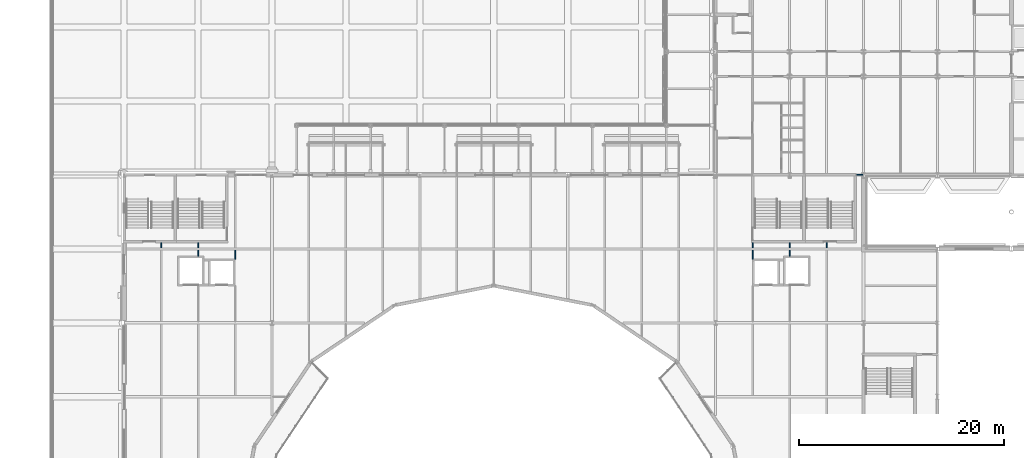
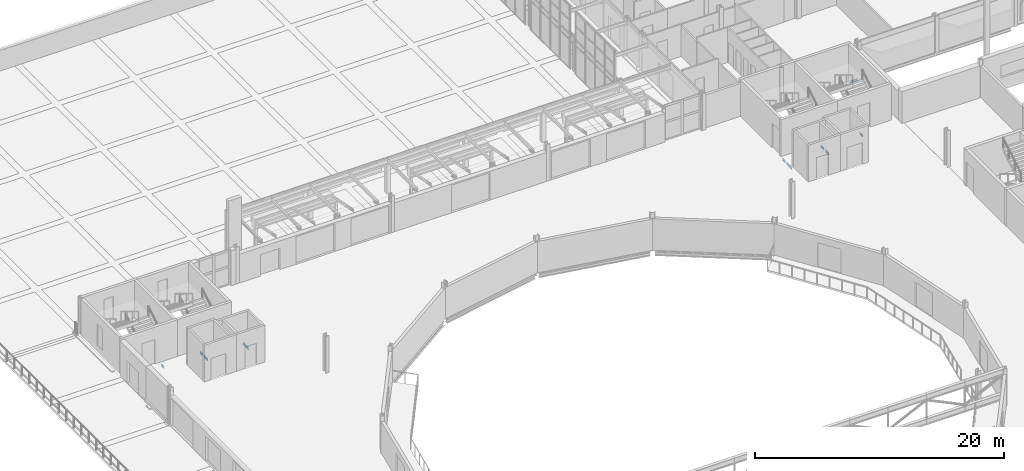
# One storey, part 61 of 143: 10 beams.
"""IFC4 building model written with IfcOpenShell, lengths in metres."""

from ifc_helpers import new_model, si_unit, direction, frame, origin, origin_2d, place, context, subcontext, project, spatial, i_section, extrude, material, material_profile, profile_set, type_object, element, save


model = new_model("IFC4")

# Units and contexts
model_context = context("Model", 3, precision=1e-05, world=origin(), true_north=direction((0.0, 1.0)))
body_context = subcontext(model_context, "Body", "Model", "MODEL_VIEW")
ifc_project = project(units=[si_unit("LENGTHUNIT", "METRE"), si_unit("AREAUNIT", "SQUARE_METRE"), si_unit("VOLUMEUNIT", "CUBIC_METRE"), si_unit("PLANEANGLEUNIT", "RADIAN"), si_unit("MASSUNIT", "GRAM", prefix="KILO")], contexts=[model_context])

# Site, building, storey
site_placement = place(None, origin())
site = spatial("IfcSite", under=ifc_project, at=site_placement, CompositionType="ELEMENT")
building_placement = place(site_placement, origin())
building = spatial("IfcBuilding", under=site, at=building_placement, Name="Kupolbacken Congress Centre", CompositionType="ELEMENT")
storey_placement = place(building_placement, frame((0.0, 0.0, 7.199951171875)))
storey = spatial("IfcBuildingStorey", under=building, at=storey_placement, Name="L02", CompositionType="ELEMENT", Elevation=7.199951171875)

# Beams
ifc_material = material(Name="Steel S355", Category="steel")
ifc_material_profile = material_profile(ifc_material, i_section(OverallWidth=0.10009765625, OverallDepth=0.199951171875, WebThickness=0.005615234375, FlangeThickness=0.008544921875, FilletRadius=0.011962890625, at=origin_2d()), Name="IPE 200")
ifc_profile_set = profile_set([ifc_material_profile], Name="Steel S355")
beam_type = type_object("IfcBeamType", Name="B01 beam IPE 200", PredefinedType="BEAM", material=ifc_profile_set)
beam_1_placement = place(storey_placement, frame((78.52490234375, 122.39990234375, -0.280029296875), z_axis=(1.0, 0.0, 0.0), x_axis=(0.0, 1.0, 0.0)))
element("IfcBeam", 1, at=beam_1_placement, inside=storey, type_object=beam_type, Name="S/floor/P/L02/R075", PredefinedType="BEAM", context=body_context, shape_type="SweptSolid", body=[
    extrude(i_section(OverallWidth=0.10009765625, OverallDepth=0.199951171875, WebThickness=0.005615234375, FlangeThickness=0.008544921875, FilletRadius=0.011962890625, at=origin_2d()), origin(), (0.0, 0.0, 1.0), 0.66455078125),
])
beam_2_placement = place(storey_placement, frame((10.800048828125, 115.31005859375, -0.280029296875), z_axis=(0.0, 1.0, 0.0), x_axis=(-1.0, 0.0, 0.0)))
element("IfcBeam", 2, at=beam_2_placement, inside=storey, type_object=beam_type, Name="S/floor/P/L02/S084", PredefinedType="BEAM", context=body_context, shape_type="SweptSolid", body=[
    extrude(i_section(OverallWidth=0.10009765625, OverallDepth=0.199951171875, WebThickness=0.005615234375, FlangeThickness=0.008544921875, FilletRadius=0.011962890625, at=origin_2d()), origin(), (0.0, 0.0, 1.0), 0.46484375),
])
beam_3_placement = place(storey_placement, frame((14.39990234375, 114.5, -0.280029296875), z_axis=(0.0, 1.0, 0.0), x_axis=(-1.0, 0.0, 0.0)))
element("IfcBeam", 3, at=beam_3_placement, inside=storey, type_object=beam_type, Name="S/floor/P/L02/S094", PredefinedType="BEAM", context=body_context, shape_type="SweptSolid", body=[
    extrude(i_section(OverallWidth=0.10009765625, OverallDepth=0.199951171875, WebThickness=0.005615234375, FlangeThickness=0.008544921875, FilletRadius=0.011962890625, at=origin_2d()), origin(), (0.0, 0.0, 1.0), 0.590087890625),
])
beam_4_placement = place(storey_placement, frame((14.39990234375, 115.31005859375, -0.280029296875), z_axis=(0.0, 1.0, 0.0), x_axis=(-1.0, 0.0, 0.0)))
element("IfcBeam", 4, at=beam_4_placement, inside=storey, type_object=beam_type, Name="S/floor/P/L02/S095", PredefinedType="BEAM", context=body_context, shape_type="SweptSolid", body=[
    extrude(i_section(OverallWidth=0.10009765625, OverallDepth=0.199951171875, WebThickness=0.005615234375, FlangeThickness=0.008544921875, FilletRadius=0.011962890625, at=origin_2d()), origin(), (0.0, 0.0, 1.0), 0.46484375),
])
beam_5_placement = place(storey_placement, frame((72.0, 114.5, -0.280029296875), z_axis=(0.0, 1.0, 0.0), x_axis=(-1.0, 0.0, 0.0)))
element("IfcBeam", 5, at=beam_5_placement, inside=storey, type_object=beam_type, Name="S/floor/P/L02/S149", PredefinedType="BEAM", context=body_context, shape_type="SweptSolid", body=[
    extrude(i_section(OverallWidth=0.10009765625, OverallDepth=0.199951171875, WebThickness=0.005615234375, FlangeThickness=0.008544921875, FilletRadius=0.011962890625, at=origin_2d()), origin(), (0.0, 0.0, 1.0), 0.590087890625),
])
for number, where, z_axis, x_axis, name in (
    (6, (72.0, 115.31005859375, -0.280029296875), (0.0, 1.0, 0.0), (-1.0, 0.0, 0.0), "S/floor/P/L02/S150"),
    (7, (75.60009765625, 115.31005859375, -0.280029296875), (0.0, 1.0, 0.0), (-1.0, 0.0, 0.0), "S/floor/P/L02/S160"),
):
    element("IfcBeam", number, at=place(storey_placement, frame(where, z_axis=z_axis, x_axis=x_axis)), inside=storey, type_object=beam_type, Name=name, PredefinedType="BEAM", context=body_context, shape_type="SweptSolid", body=[
        extrude(i_section(OverallWidth=0.10009765625, OverallDepth=0.199951171875, WebThickness=0.005615234375, FlangeThickness=0.008544921875, FilletRadius=0.011962890625, at=origin_2d()), origin(), (0.0, 0.0, 1.0), 0.46484375),
    ])
for number, where, z_axis, x_axis, name in (
    (8, (18.0, 114.199951171875, -0.280029296875), (0.0, 1.0, 0.0), (-1.0, 0.0, 0.0), "S/floor/P/L02/S171"),
    (9, (68.39990234375, 114.199951171875, -0.280029296875), (0.0, 1.0, 0.0), (-1.0, 0.0, 0.0), "S/floor/P/L02/S175"),
):
    element("IfcBeam", number, at=place(storey_placement, frame(where, z_axis=z_axis, x_axis=x_axis)), inside=storey, type_object=beam_type, Name=name, PredefinedType="BEAM", context=body_context, shape_type="SweptSolid", body=[
        extrude(i_section(OverallWidth=0.10009765625, OverallDepth=0.199951171875, WebThickness=0.005615234375, FlangeThickness=0.008544921875, FilletRadius=0.011962890625, at=origin_2d()), origin(), (0.0, 0.0, 1.0), 0.89013671875),
    ])
beam_6_placement = place(storey_placement, frame((68.39990234375, 115.31005859375, -0.280029296875), z_axis=(0.0, 1.0, 0.0), x_axis=(-1.0, 0.0, 0.0)))
element("IfcBeam", 10, at=beam_6_placement, inside=storey, type_object=beam_type, Name="S/floor/P/L02/S176", PredefinedType="BEAM", context=body_context, shape_type="SweptSolid", body=[
    extrude(i_section(OverallWidth=0.10009765625, OverallDepth=0.199951171875, WebThickness=0.005615234375, FlangeThickness=0.008544921875, FilletRadius=0.011962890625, at=origin_2d()), origin(), (0.0, 0.0, 1.0), 0.46484375),
])

save(model, "model.ifc")
